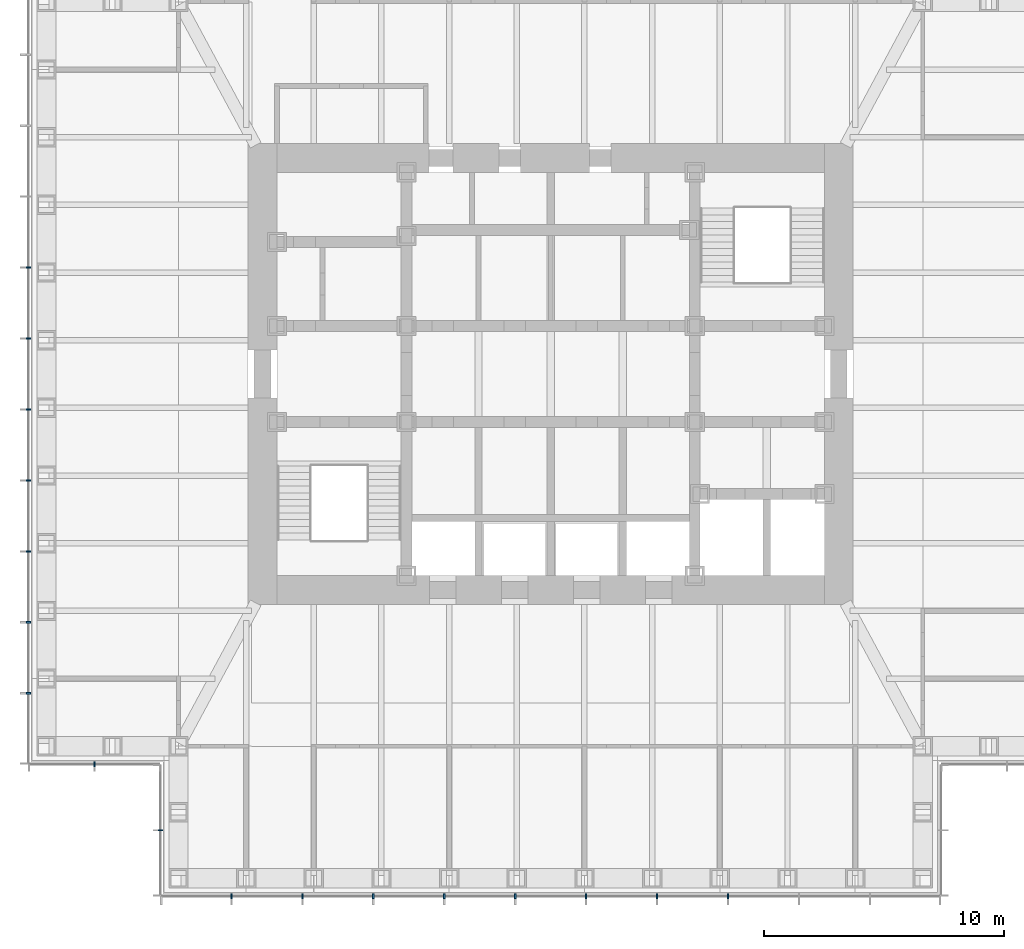
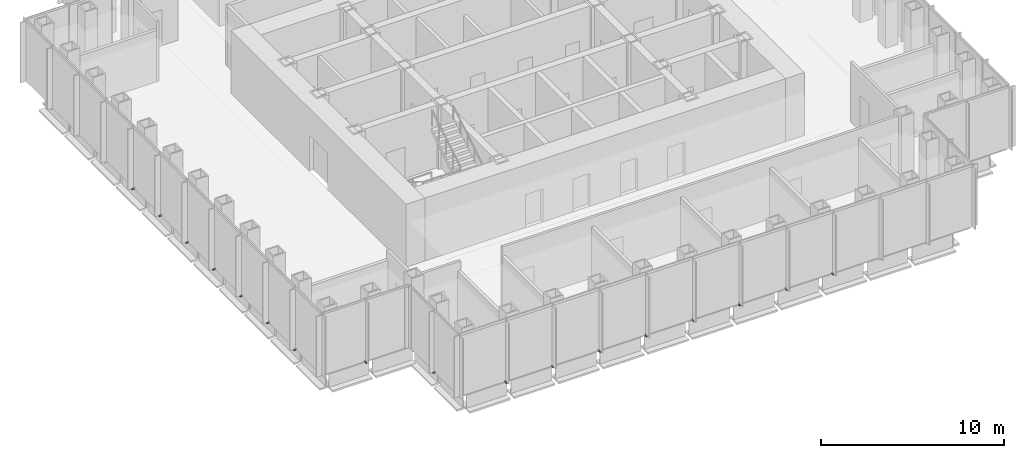
# One storey, part 11 of 16: 17 discrete accessories.
"""IFC4 building model written with IfcOpenShell, lengths in metres."""

from ifc_helpers import new_model, si_unit, direction, frame, origin, origin_2d, place, context, subcontext, project, spatial, rectangle, extrude, element, save


model = new_model("IFC4")

# Units and contexts
model_context = context("Model", 3, precision=1e-05, world=origin(), true_north=direction((0.0, 1.0)))
body_context = subcontext(model_context, "Body", "Model", "MODEL_VIEW")
ifc_project = project(units=[si_unit("LENGTHUNIT", "METRE"), si_unit("AREAUNIT", "SQUARE_METRE"), si_unit("VOLUMEUNIT", "CUBIC_METRE"), si_unit("PLANEANGLEUNIT", "RADIAN"), si_unit("MASSUNIT", "GRAM", prefix="KILO")], contexts=[model_context])

# Site, building, storey
site_placement = place(None, origin())
site = spatial("IfcSite", under=ifc_project, at=site_placement, CompositionType="ELEMENT")
building_placement = place(site_placement, origin())
building = spatial("IfcBuilding", under=site, at=building_placement, Name="Daluyong Arena Tower", CompositionType="ELEMENT")
storey_placement = place(building_placement, frame((0.0, 0.0, 219.10009765625)))
storey = spatial("IfcBuildingStorey", under=building, at=storey_placement, Name="L49", CompositionType="ELEMENT", Elevation=219.10009765625)

# Discrete accessories
for number, where, z_axis, x_axis, name in (
    (1, (42.70458984375, 58.25, -0.10009765625), (0.0, 0.0, 1.0), (1.0, 0.0, 0.0), "curtain wall L49 S anchor bracket 2"),
    (2, (45.6591796875, 58.25, -0.10009765625), (0.0, 0.0, 1.0), (1.0, 0.0, 0.0), "curtain wall L49 S anchor bracket 3"),
    (3, (48.613525390625, 58.25, -0.10009765625), (0.0, 0.0, 1.0), (1.0, 0.0, 0.0), "curtain wall L49 S anchor bracket 4"),
    (4, (51.568115234375, 58.25, -0.10009765625), (0.0, 0.0, 1.0), (1.0, 0.0, 0.0), "curtain wall L49 S anchor bracket 5"),
    (5, (54.522705078125, 58.25, -0.10009765625), (0.0, 0.0, 1.0), (1.0, 0.0, 0.0), "curtain wall L49 S anchor bracket 6"),
    (6, (57.477294921875, 58.25, -0.10009765625), (0.0, 0.0, 1.0), (1.0, 0.0, 0.0), "curtain wall L49 S anchor bracket 7"),
    (7, (60.431884765625, 58.25, -0.10009765625), (0.0, 0.0, 1.0), (1.0, 0.0, 0.0), "curtain wall L49 S anchor bracket 8"),
    (8, (63.386474609375, 58.25, -0.10009765625), (0.0, 0.0, 1.0), (1.0, 0.0, 0.0), "curtain wall L49 S anchor bracket 9"),
    (9, (34.25, 84.431884765625, -0.10009765625), (0.0, 0.0, 1.0), (0.0, -1.0, 0.0), "curtain wall L49 W anchor bracket 5"),
    (10, (34.25, 81.477294921875, -0.10009765625), (0.0, 0.0, 1.0), (0.0, -1.0, 0.0), "curtain wall L49 W anchor bracket 6"),
    (11, (34.25, 78.522705078125, -0.10009765625), (0.0, 0.0, 1.0), (0.0, -1.0, 0.0), "curtain wall L49 W anchor bracket 7"),
    (12, (34.25, 75.568115234375, -0.10009765625), (0.0, 0.0, 1.0), (0.0, -1.0, 0.0), "curtain wall L49 W anchor bracket 8"),
    (13, (34.25, 72.613525390625, -0.10009765625), (0.0, 0.0, 1.0), (0.0, -1.0, 0.0), "curtain wall L49 W anchor bracket 9"),
    (14, (34.25, 69.6591796875, -0.10009765625), (0.0, 0.0, 1.0), (0.0, -1.0, 0.0), "curtain wall L49 W anchor bracket 10"),
    (15, (34.25, 66.70458984375, -0.10009765625), (0.0, 0.0, 1.0), (0.0, -1.0, 0.0), "curtain wall L49 W anchor bracket 11"),
):
    element("IfcDiscreteAccessory", number, at=place(storey_placement, frame(where, z_axis=z_axis, x_axis=x_axis)), inside=storey, Name=name, PredefinedType="BRACKET", context=body_context, shape_type="SweptSolid", body=[
        extrude(rectangle(XDim=0.070068359375, YDim=0.199951171875, at=origin_2d()), origin(), (0.0, 0.0, 1.0), 0.10009765625),
    ])
for number, where, z_axis, x_axis, name in (
    (16, (37.0, 63.75, -0.10009765625), (0.0, 0.0, 1.0), (1.0, 0.0, 0.0), "curtain wall L49 SW-S anchor bracket 2"),
    (17, (39.75, 61.0, -0.10009765625), (0.0, 0.0, 1.0), (0.0, -1.0, 0.0), "curtain wall L49 SW-W anchor bracket 2"),
):
    element("IfcDiscreteAccessory", number, at=place(storey_placement, frame(where, z_axis=z_axis, x_axis=x_axis)), inside=storey, Name=name, PredefinedType="BRACKET", context=body_context, shape_type="SweptSolid", body=[
        extrude(rectangle(XDim=0.06005859375, YDim=0.199951171875, at=origin_2d()), origin(), (0.0, 0.0, 1.0), 0.10009765625),
    ])

save(model, "model.ifc")
